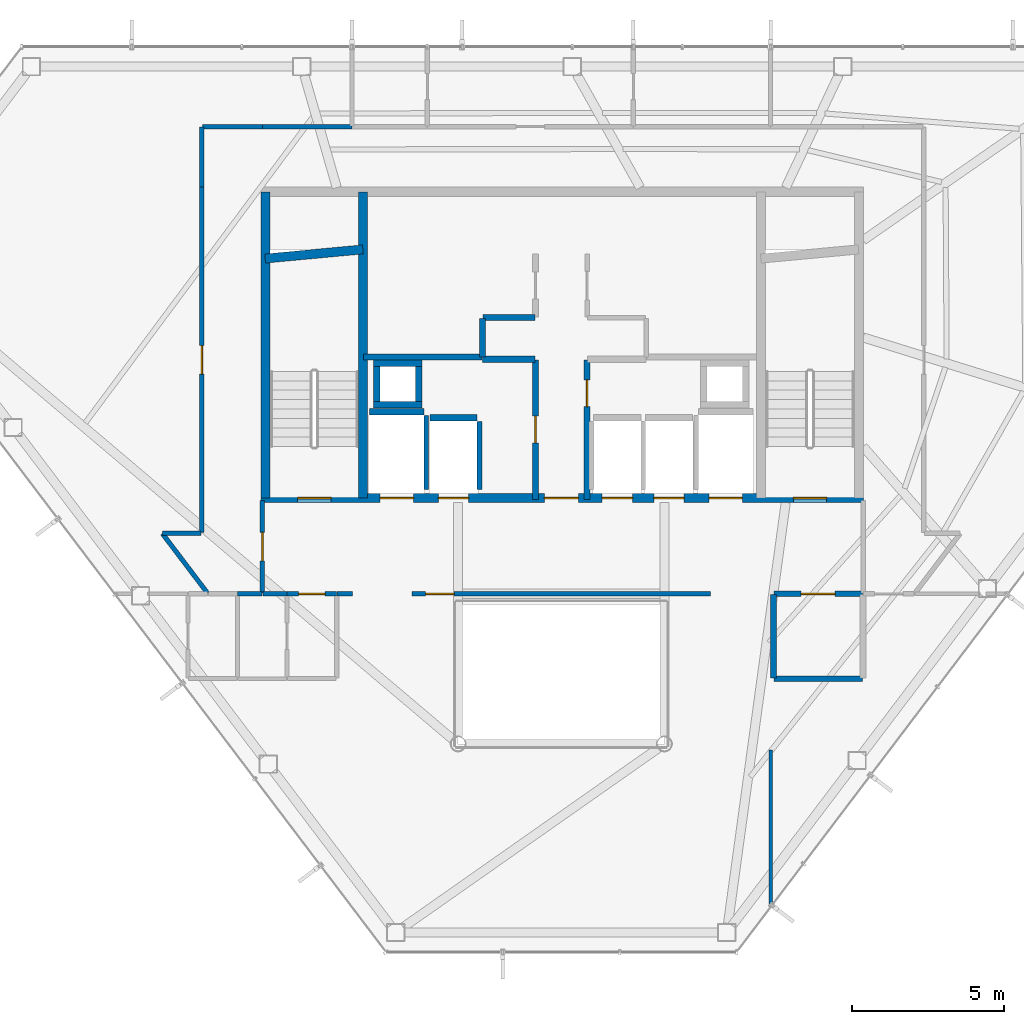
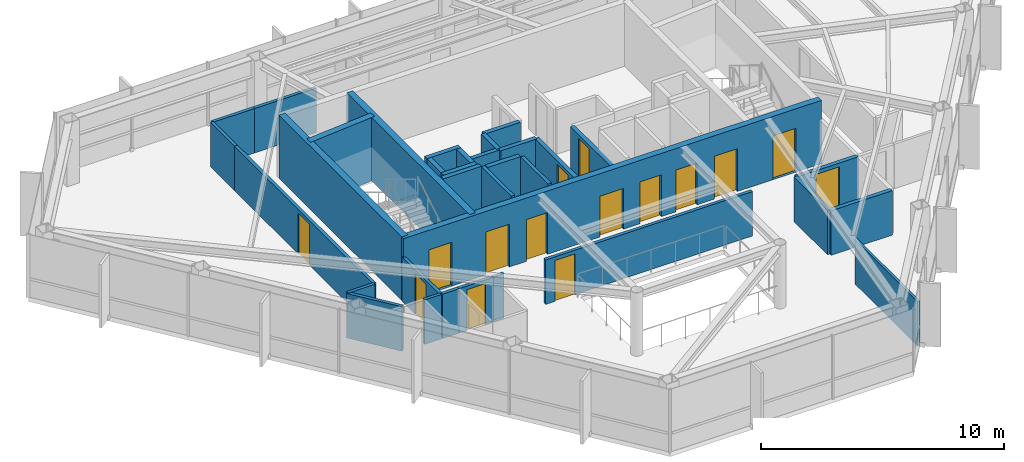
# One storey, part 24 of 27: 34 walls, 15 doors, 15 openings.
"""IFC4 building model written with IfcOpenShell, lengths in metres."""

from ifc_helpers import new_model, si_unit, direction, frame, frame_2d, origin, place, context, subcontext, project, spatial, rectangle, extrude, material, layer, layer_set, type_object, element, fill, save


model = new_model("IFC4")

# Units and contexts
model_context = context("Model", 3, precision=1e-05, world=origin(), true_north=direction((0.0, 1.0)))
body_context = subcontext(model_context, "Body", "Model", "MODEL_VIEW")
ifc_project = project(units=[si_unit("LENGTHUNIT", "METRE"), si_unit("AREAUNIT", "SQUARE_METRE"), si_unit("VOLUMEUNIT", "CUBIC_METRE"), si_unit("PLANEANGLEUNIT", "RADIAN"), si_unit("MASSUNIT", "GRAM", prefix="KILO")], contexts=[model_context])

# Site, building, storey
site_placement = place(None, origin())
site = spatial("IfcSite", under=ifc_project, at=site_placement, CompositionType="ELEMENT")
building_placement = place(site_placement, origin())
building = spatial("IfcBuilding", under=site, at=building_placement, Name="Zarrinselat Tower", CompositionType="ELEMENT")
storey_placement = place(building_placement, frame((0.0, 0.0, 232.56005859375)))
storey = spatial("IfcBuildingStorey", under=building, at=storey_placement, Name="L58", CompositionType="ELEMENT", Elevation=232.56005859375)

# Wall, opening, door
ifc_material_1 = material(Name="Concrete C40/50", Category="concrete")
ifc_layer_1 = layer(ifc_material_1, 0.18994140625)
ifc_layer_set_1 = layer_set([ifc_layer_1], Name="Concrete C40/50")
wall_type_1 = type_object("IfcWallType", Name="WAL-PART-EI120", PredefinedType="PARTITIONING", material=ifc_layer_set_1)
wall_1_placement = place(storey_placement, frame((45.405029296875, 30.14990234375, 0.0), z_axis=(0.0, 0.0, 1.0), x_axis=(1.0, 0.0, 0.0)))
wall_1 = element("IfcWall", 1, at=wall_1_placement, inside=storey, type_object=wall_type_1, Name="L58 Partition Wall 13", PredefinedType="PARTITIONING", context=body_context, shape_type="SweptSolid", body=[
    extrude(rectangle(XDim=2.925048828125, YDim=0.18994140625, at=frame_2d((1.46240234375, 0.0))), origin(), (0.0, 0.0, 1.0), 2.23486328125),
])
opening_1_placement = place(wall_1_placement, frame((0.902587890625, 0.0, 0.0)))
opening_1 = element("IfcOpeningElement", 2, at=opening_1_placement, cuts=wall_1, Name="Opening ID-02", PredefinedType="OPENING", context=body_context, shape_type="SweptSolid", body=[
    extrude(rectangle(XDim=1.1201171875, YDim=2.050048828125, at=frame_2d((0.56005859375, 1.02490234375))), frame((0.0, 0.10498046875, 0.0), z_axis=(0.0, -1.0, 0.0), x_axis=(1.0, 0.0, 0.0)), (0.0, 0.0, 1.0), 0.2099609375),
])
ifc_material_2 = material(Name="Steel S355J2", Category="steel")
door_type_1 = type_object("IfcDoorType", Name="DR-INT-FD60-W", OperationType="NOTDEFINED", PredefinedType="DOOR", material=ifc_material_2)
door_1_placement = place(opening_1_placement, origin())
door_1 = element("IfcDoor", 3, at=door_1_placement, inside=storey, type_object=door_type_1, Name="L58 Interior Door P13", OperationType="SINGLE_SWING_RIGHT", OverallHeight=2.050048828125, OverallWidth=1.1201171875, PredefinedType="DOOR", context=body_context, shape_type="SweptSolid", body=[
    extrude(rectangle(XDim=1.1201171875, YDim=2.050048828125, at=frame_2d((0.56005859375, 1.02490234375))), frame((0.0, 0.02490234375, 0.0), z_axis=(0.0, -1.0, 0.0), x_axis=(1.0, 0.0, 0.0)), (0.0, 0.0, 1.0), 0.050048828125),
])
fill(opening_1, door_1)

# Walls
wall_2_placement = place(storey_placement, frame((45.419921875, 27.35009765625, 0.0), z_axis=(0.0, 0.0, 1.0), x_axis=(1.0, 0.0, 0.0)))
element("IfcWall", 4, at=wall_2_placement, inside=storey, type_object=wall_type_1, Name="L58 Partition Wall 20", PredefinedType="PARTITIONING", context=body_context, shape_type="SweptSolid", body=[
    extrude(rectangle(XDim=2.91015625, YDim=0.18994140625, at=frame_2d((1.455078125, 0.0))), origin(), (0.0, 0.0, 1.0), 2.23486328125),
])
wall_3_placement = place(storey_placement, frame((45.39990234375, 27.3701171875, 0.0), z_axis=(0.0, 0.0, 1.0), x_axis=(0.0, 1.0, 0.0)))
element("IfcWall", 5, at=wall_3_placement, inside=storey, type_object=wall_type_1, Name="L58 Partition Wall 21", PredefinedType="PARTITIONING", context=body_context, shape_type="SweptSolid", body=[
    extrude(rectangle(XDim=2.759765625, YDim=0.18994140625, at=frame_2d((1.3798828125, 0.0))), origin(), (0.0, 0.0, 1.0), 2.23486328125),
])

# Wall, opening, door
ifc_material_3 = material(Name="Fire-Rated Gypsum Board Partition", Category="gypsum")
ifc_layer_2 = layer(ifc_material_3, 0.14990234375)
ifc_layer_set_2 = layer_set([ifc_layer_2], Name="Fire-Rated Gypsum Board Partition")
wall_type_2 = type_object("IfcWallType", Name="WAL-PART-EI60", PredefinedType="PARTITIONING", material=ifc_layer_set_2)
wall_4_placement = place(storey_placement, frame((28.550048828125, 30.169921875, 0.0), z_axis=(0.0, 0.0, 1.0), x_axis=(0.0, 1.0, 0.0)))
wall_4 = element("IfcWall", 6, at=wall_4_placement, inside=storey, type_object=wall_type_2, Name="L58 Partition Wall 14", PredefinedType="PARTITIONING", context=body_context, shape_type="SweptSolid", body=[
    extrude(rectangle(XDim=3.06005859375, YDim=0.14990234375, at=frame_2d((1.530029296875, 0.0))), origin(), (0.0, 0.0, 1.0), 2.23486328125),
])
opening_2_placement = place(wall_4_placement, frame((1.06005859375, 0.0, 0.0)))
opening_2 = element("IfcOpeningElement", 7, at=opening_2_placement, cuts=wall_4, Name="Opening ID-04", PredefinedType="OPENING", context=body_context, shape_type="SweptSolid", body=[
    extrude(rectangle(XDim=0.93994140625, YDim=2.050048828125, at=frame_2d((0.469970703125, 1.02490234375))), frame((0.0, 0.0849609375, 0.0), z_axis=(0.0, -1.0, 0.0), x_axis=(1.0, 0.0, 0.0)), (0.0, 0.0, 1.0), 0.169921875),
])
ifc_material_4 = material(Name="Fire-Rated Gypsum Board Partition")
door_type_2 = type_object("IfcDoorType", Name="DR-INT-FD30-ENT", OperationType="NOTDEFINED", PredefinedType="DOOR", material=ifc_material_4)
door_2_placement = place(opening_2_placement, origin())
door_2 = element("IfcDoor", 8, at=door_2_placement, inside=storey, type_object=door_type_2, Name="L58 Interior Door P14", OperationType="SINGLE_SWING_LEFT", OverallHeight=2.050048828125, OverallWidth=0.93994140625, PredefinedType="DOOR", context=body_context, shape_type="SweptSolid", body=[
    extrude(rectangle(XDim=0.93994140625, YDim=2.050048828125, at=frame_2d((0.469970703125, 1.02490234375))), frame((0.0, 0.02490234375, 0.0), z_axis=(0.0, -1.0, 0.0), x_axis=(1.0, 0.0, 0.0)), (0.0, 0.0, 1.0), 0.050048828125),
])
fill(opening_2, door_2)

wall_5_placement = place(storey_placement, frame((29.364990234375, 30.14990234375, 0.0), z_axis=(0.0, 0.0, 1.0), x_axis=(1.0, 0.0, 0.0)))
wall_5 = element("IfcWall", 9, at=wall_5_placement, inside=storey, type_object=wall_type_2, Name="L58 Partition Wall 16", PredefinedType="PARTITIONING", context=body_context, shape_type="SweptSolid", body=[
    extrude(rectangle(XDim=1.630126953125, YDim=0.14990234375, at=frame_2d((0.81494140625, 0.0))), origin(), (0.0, 0.0, 1.0), 2.23486328125),
])
opening_3_placement = place(wall_5_placement, frame((0.375, 0.0, 0.0)))
opening_3 = element("IfcOpeningElement", 10, at=opening_3_placement, cuts=wall_5, Name="Opening ID-03", PredefinedType="OPENING", context=body_context, shape_type="SweptSolid", body=[
    extrude(rectangle(XDim=0.8798828125, YDim=2.050048828125, at=frame_2d((0.43994140625, 1.02490234375))), frame((0.0, 0.0849609375, 0.0), z_axis=(0.0, -1.0, 0.0), x_axis=(1.0, 0.0, 0.0)), (0.0, 0.0, 1.0), 0.169921875),
])
ifc_material_5 = material(Name="Steel S355J2", Category="steel")
door_type_3 = type_object("IfcDoorType", Name="DR-INT-FD60-S", OperationType="NOTDEFINED", PredefinedType="DOOR", material=ifc_material_5)
door_3_placement = place(opening_3_placement, origin())
door_3 = element("IfcDoor", 11, at=door_3_placement, inside=storey, type_object=door_type_3, Name="L58 Interior Door P16", OperationType="SINGLE_SWING_RIGHT", OverallHeight=2.050048828125, OverallWidth=0.8798828125, PredefinedType="DOOR", context=body_context, shape_type="SweptSolid", body=[
    extrude(rectangle(XDim=0.8798828125, YDim=2.050048828125, at=frame_2d((0.43994140625, 1.02490234375))), frame((0.0, 0.02490234375, 0.0), z_axis=(0.0, -1.0, 0.0), x_axis=(1.0, 0.0, 0.0)), (0.0, 0.0, 1.0), 0.050048828125),
])
fill(opening_3, door_3)

# Wall
wall_6_placement = place(storey_placement, frame((28.570068359375, 30.14990234375, 0.0), z_axis=(0.0, 0.0, 1.0), x_axis=(1.0, 0.0, 0.0)))
element("IfcWall", 12, at=wall_6_placement, inside=storey, type_object=wall_type_2, Name="L58 Partition Wall 17", PredefinedType="PARTITIONING", context=body_context, shape_type="SweptSolid", body=[
    extrude(rectangle(XDim=0.784912109375, YDim=0.14990234375, at=frame_2d((0.392578125, 0.0))), origin(), (0.0, 0.0, 1.0), 2.23486328125),
])

# Wall, opening, door
wall_7_placement = place(storey_placement, frame((33.485107421875, 30.14990234375, 0.0), z_axis=(0.0, 0.0, 1.0), x_axis=(1.0, 0.0, 0.0)))
wall_7 = element("IfcWall", 13, at=wall_7_placement, inside=storey, type_object=wall_type_2, Name="L58 Partition Wall 18", PredefinedType="PARTITIONING", context=body_context, shape_type="SweptSolid", body=[
    extrude(rectangle(XDim=9.829833984375, YDim=0.14990234375, at=frame_2d((4.9150390625, 0.0))), origin(), (0.0, 0.0, 1.0), 2.23486328125),
])
opening_4_placement = place(wall_7_placement, frame((0.445068359375, 0.0, 0.0)))
opening_4 = element("IfcOpeningElement", 14, at=opening_4_placement, cuts=wall_7, Name="Opening ID-04", PredefinedType="OPENING", context=body_context, shape_type="SweptSolid", body=[
    extrude(rectangle(XDim=0.93994140625, YDim=2.050048828125, at=frame_2d((0.469970703125, 1.02490234375))), frame((0.0, 0.0849609375, 0.0), z_axis=(0.0, -1.0, 0.0), x_axis=(1.0, 0.0, 0.0)), (0.0, 0.0, 1.0), 0.169921875),
])
door_4_placement = place(opening_4_placement, origin())
door_4 = element("IfcDoor", 15, at=door_4_placement, inside=storey, type_object=door_type_2, Name="L58 Interior Door P18", OperationType="SINGLE_SWING_LEFT", OverallHeight=2.050048828125, OverallWidth=0.93994140625, PredefinedType="DOOR", context=body_context, shape_type="SweptSolid", body=[
    extrude(rectangle(XDim=0.93994140625, YDim=2.050048828125, at=frame_2d((0.469970703125, 1.02490234375))), frame((0.0, 0.02490234375, 0.0), z_axis=(0.0, -1.0, 0.0), x_axis=(1.0, 0.0, 0.0)), (0.0, 0.0, 1.0), 0.050048828125),
])
fill(opening_4, door_4)

# Walls
wall_8_placement = place(storey_placement, frame((31.0048828125, 30.14990234375, 0.0), z_axis=(0.0, 0.0, 1.0), x_axis=(1.0, 0.0, 0.0)))
element("IfcWall", 16, at=wall_8_placement, inside=storey, type_object=wall_type_2, Name="L58 Partition Wall 19", PredefinedType="PARTITIONING", context=body_context, shape_type="SweptSolid", body=[
    extrude(rectangle(XDim=0.510009765625, YDim=0.14990234375, at=frame_2d((0.2548828125, 0.0))), origin(), (0.0, 0.0, 1.0), 2.23486328125),
])
wall_9_placement = place(storey_placement, frame((27.735107421875, 30.14990234375, 0.0), z_axis=(0.0, 0.0, 1.0), x_axis=(1.0, 0.0, 0.0)))
element("IfcWall", 17, at=wall_9_placement, inside=storey, type_object=wall_type_2, Name="L58 Partition Wall 24", PredefinedType="PARTITIONING", context=body_context, shape_type="SweptSolid", body=[
    extrude(rectangle(XDim=0.794921875, YDim=0.14990234375, at=frame_2d((0.3974609375, 0.0))), origin(), (0.0, 0.0, 1.0), 2.23486328125),
])
wall_10_placement = place(storey_placement, frame((25.251708984375, 32.134033203125, 0.0), z_axis=(0.0, 0.0, 1.0), x_axis=(0.603869110647, -0.797083494502, 0.0)))
element("IfcWall", 18, at=wall_10_placement, inside=storey, type_object=wall_type_2, Name="L58 Partition Wall 26", PredefinedType="PARTITIONING", context=body_context, shape_type="SweptSolid", body=[
    extrude(rectangle(XDim=2.468994140625, YDim=0.14990234375, at=frame_2d((1.234375, 0.0))), origin(), (0.0, 0.0, 1.0), 2.23486328125),
])
wall_11_placement = place(storey_placement, frame((25.259521484375, 32.14990234375, 0.0), z_axis=(0.0, 0.0, 1.0), x_axis=(1.0, 0.0, 0.0)))
element("IfcWall", 19, at=wall_11_placement, inside=storey, type_object=wall_type_2, Name="L58 Partition Wall 27", PredefinedType="PARTITIONING", context=body_context, shape_type="SweptSolid", body=[
    extrude(rectangle(XDim=1.2705078125, YDim=0.14990234375, at=frame_2d((0.63525390625, 0.0))), origin(), (0.0, 0.0, 1.0), 2.23486328125),
])

# Wall, opening, door
wall_12_placement = place(storey_placement, frame((26.550048828125, 32.169921875, 0.0), z_axis=(0.0, 0.0, 1.0), x_axis=(0.0, 1.0, 0.0)))
wall_12 = element("IfcWall", 20, at=wall_12_placement, inside=storey, type_object=wall_type_2, Name="L58 Partition Wall 28", PredefinedType="PARTITIONING", context=body_context, shape_type="SweptSolid", body=[
    extrude(rectangle(XDim=11.380126953125, YDim=0.14990234375, at=frame_2d((5.68994140625, 0.0))), origin(), (0.0, 0.0, 1.0), 2.23486328125),
])
opening_5_placement = place(wall_12_placement, frame((5.219970703125, 0.0, 0.0)))
opening_5 = element("IfcOpeningElement", 21, at=opening_5_placement, cuts=wall_12, Name="Opening ID-04", PredefinedType="OPENING", context=body_context, shape_type="SweptSolid", body=[
    extrude(rectangle(XDim=0.93994140625, YDim=2.050048828125, at=frame_2d((0.469970703125, 1.02490234375))), frame((0.0, 0.0849609375, 0.0), z_axis=(0.0, -1.0, 0.0), x_axis=(1.0, 0.0, 0.0)), (0.0, 0.0, 1.0), 0.169921875),
])
door_5_placement = place(opening_5_placement, origin())
door_5 = element("IfcDoor", 22, at=door_5_placement, inside=storey, type_object=door_type_2, Name="L58 Interior Door P28", OperationType="SINGLE_SWING_LEFT", OverallHeight=2.050048828125, OverallWidth=0.93994140625, PredefinedType="DOOR", context=body_context, shape_type="SweptSolid", body=[
    extrude(rectangle(XDim=0.93994140625, YDim=2.050048828125, at=frame_2d((0.469970703125, 1.02490234375))), frame((0.0, 0.02490234375, 0.0), z_axis=(0.0, -1.0, 0.0), x_axis=(1.0, 0.0, 0.0)), (0.0, 0.0, 1.0), 0.050048828125),
])
fill(opening_5, door_5)

# Walls
for number, where, z_axis, x_axis, name in (
    (23, (26.550048828125, 43.550048828125, 0.0), (0.0, 0.0, 1.0), (0.0, 1.0, 0.0), "L58 Partition Wall 29"),
    (24, (26.570068359375, 45.550048828125, 0.0), (0.0, 0.0, 1.0), (1.0, 0.0, 0.0), "L58 Partition Wall 30"),
):
    element("IfcWall", number, at=place(storey_placement, frame(where, z_axis=z_axis, x_axis=x_axis)), inside=storey, type_object=wall_type_2, Name=name, PredefinedType="PARTITIONING", context=body_context, shape_type="SweptSolid", body=[
        extrude(rectangle(XDim=1.97998046875, YDim=0.14990234375, at=frame_2d((0.989990234375, 0.0))), origin(), (0.0, 0.0, 1.0), 2.23486328125),
    ])
wall_13_placement = place(storey_placement, frame((28.550048828125, 45.550048828125, 0.0), z_axis=(0.0, 0.0, 1.0), x_axis=(1.0, 0.0, 0.0)))
element("IfcWall", 25, at=wall_13_placement, inside=storey, type_object=wall_type_2, Name="L58 Partition Wall 31", PredefinedType="PARTITIONING", context=body_context, shape_type="SweptSolid", body=[
    extrude(rectangle(XDim=2.945068359375, YDim=0.14990234375, at=frame_2d((1.47265625, 0.0))), origin(), (0.0, 0.0, 1.0), 2.23486328125),
])

# Wall, opening, door
ifc_material_6 = material(Name="Concrete C40/50", Category="concrete")
ifc_layer_3 = layer(ifc_material_6, 0.199951171875)
ifc_layer_set_3 = layer_set([ifc_layer_3], Name="Concrete C40/50")
wall_type_3 = type_object("IfcWallType", Name="WAL-PART-PLANT", PredefinedType="PARTITIONING", material=ifc_layer_set_3)
wall_14_placement = place(storey_placement, frame((37.550048828125, 33.264892578125, 0.0), z_axis=(0.0, 0.0, 1.0), x_axis=(0.0, 1.0, 0.0)))
wall_14 = element("IfcWall", 26, at=wall_14_placement, inside=storey, type_object=wall_type_3, Name="L58 Partition Wall 1", PredefinedType="PARTITIONING", context=body_context, shape_type="SweptSolid", body=[
    extrude(rectangle(XDim=4.59521484375, YDim=0.199951171875, at=frame_2d((2.297607421875, 0.0))), origin(), (0.0, 0.0, 1.0), 2.23486328125),
])
opening_6_placement = place(wall_14_placement, frame((1.857421875, 0.0, 0.0)))
opening_6 = element("IfcOpeningElement", 27, at=opening_6_placement, cuts=wall_14, Name="Opening ID-03", PredefinedType="OPENING", context=body_context, shape_type="SweptSolid", body=[
    extrude(rectangle(XDim=0.8798828125, YDim=2.050048828125, at=frame_2d((0.43994140625, 1.02490234375))), frame((0.0, 0.10986328125, 0.0), z_axis=(0.0, -1.0, 0.0), x_axis=(1.0, 0.0, 0.0)), (0.0, 0.0, 1.0), 0.219970703125),
])
door_6_placement = place(opening_6_placement, origin())
door_6 = element("IfcDoor", 28, at=door_6_placement, inside=storey, type_object=door_type_3, Name="L58 Interior Door P1", OperationType="SINGLE_SWING_RIGHT", OverallHeight=2.050048828125, OverallWidth=0.8798828125, PredefinedType="DOOR", context=body_context, shape_type="SweptSolid", body=[
    extrude(rectangle(XDim=0.8798828125, YDim=2.050048828125, at=frame_2d((0.43994140625, 1.02490234375))), frame((0.0, 0.02490234375, 0.0), z_axis=(0.0, -1.0, 0.0), x_axis=(1.0, 0.0, 0.0)), (0.0, 0.0, 1.0), 0.050048828125),
])
fill(opening_6, door_6)

# Walls
wall_15_placement = place(storey_placement, frame((35.800048828125, 37.8798828125, 0.0), z_axis=(0.0, 0.0, 1.0), x_axis=(1.0, 0.0, 0.0)))
element("IfcWall", 29, at=wall_15_placement, inside=storey, type_object=wall_type_3, Name="L58 Partition Wall 2", PredefinedType="PARTITIONING", context=body_context, shape_type="SweptSolid", body=[
    extrude(rectangle(XDim=1.72998046875, YDim=0.199951171875, at=frame_2d((0.864990234375, 0.0))), origin(), (0.0, 0.0, 1.0), 2.23486328125),
])
wall_16_placement = place(storey_placement, frame((35.800048828125, 37.955078125, 0.0), z_axis=(0.0, 0.0, 1.0), x_axis=(0.0, 1.0, 0.0)))
element("IfcWall", 30, at=wall_16_placement, inside=storey, type_object=wall_type_3, Name="L58 Partition Wall 3", PredefinedType="PARTITIONING", context=body_context, shape_type="SweptSolid", body=[
    extrude(rectangle(XDim=1.27490234375, YDim=0.199951171875, at=frame_2d((0.637451171875, 0.0))), origin(), (0.0, 0.0, 1.0), 2.23486328125),
])
wall_17_placement = place(storey_placement, frame((35.820068359375, 39.25, 0.0), z_axis=(0.0, 0.0, 1.0), x_axis=(1.0, 0.0, 0.0)))
element("IfcWall", 31, at=wall_17_placement, inside=storey, type_object=wall_type_3, Name="L58 Partition Wall 4", PredefinedType="PARTITIONING", context=body_context, shape_type="SweptSolid", body=[
    extrude(rectangle(XDim=1.7099609375, YDim=0.199951171875, at=frame_2d((0.85498046875, 0.0))), origin(), (0.0, 0.0, 1.0), 2.23486328125),
])

# Wall, opening, door
wall_18_placement = place(storey_placement, frame((39.25, 33.264892578125, 0.0), z_axis=(0.0, 0.0, 1.0), x_axis=(0.0, 1.0, 0.0)))
wall_18 = element("IfcWall", 32, at=wall_18_placement, inside=storey, type_object=wall_type_3, Name="L58 Partition Wall 7", PredefinedType="PARTITIONING", context=body_context, shape_type="SweptSolid", body=[
    extrude(rectangle(XDim=4.59521484375, YDim=0.199951171875, at=frame_2d((2.297607421875, 0.0))), origin(), (0.0, 0.0, 1.0), 2.23486328125),
])
opening_7_placement = place(wall_18_placement, frame((3.0576171875, 0.0, 0.0)))
opening_7 = element("IfcOpeningElement", 33, at=opening_7_placement, cuts=wall_18, Name="Opening ID-03", PredefinedType="OPENING", context=body_context, shape_type="SweptSolid", body=[
    extrude(rectangle(XDim=0.8798828125, YDim=2.050048828125, at=frame_2d((0.43994140625, 1.02490234375))), frame((0.0, 0.10986328125, 0.0), z_axis=(0.0, -1.0, 0.0), x_axis=(1.0, 0.0, 0.0)), (0.0, 0.0, 1.0), 0.219970703125),
])
door_7_placement = place(opening_7_placement, origin())
door_7 = element("IfcDoor", 34, at=door_7_placement, inside=storey, type_object=door_type_3, Name="L58 Interior Door P7", OperationType="SINGLE_SWING_RIGHT", OverallHeight=2.050048828125, OverallWidth=0.8798828125, PredefinedType="DOOR", context=body_context, shape_type="SweptSolid", body=[
    extrude(rectangle(XDim=0.8798828125, YDim=2.050048828125, at=frame_2d((0.43994140625, 1.02490234375))), frame((0.0, 0.02490234375, 0.0), z_axis=(0.0, -1.0, 0.0), x_axis=(1.0, 0.0, 0.0)), (0.0, 0.0, 1.0), 0.050048828125),
])
fill(opening_7, door_7)

# Walls
wall_19_placement = place(storey_placement, frame((31.885009765625, 37.949951171875, 0.0), z_axis=(0.0, 0.0, 1.0), x_axis=(1.0, 0.0, 0.0)))
element("IfcWall", 35, at=wall_19_placement, inside=storey, type_object=wall_type_3, Name="L58 Partition Wall 11", PredefinedType="PARTITIONING", context=body_context, shape_type="SweptSolid", body=[
    extrude(rectangle(XDim=3.89501953125, YDim=0.199951171875, at=frame_2d((1.947509765625, 0.0))), origin(), (0.0, 0.0, 1.0), 2.23486328125),
])
ifc_material_7 = material(Name="Fire-Rated Gypsum Board Partition", Category="gypsum")
ifc_layer_4 = layer(ifc_material_7, 0.1201171875)
ifc_layer_set_4 = layer_set([ifc_layer_4], Name="Fire-Rated Gypsum Board Partition")
wall_type_4 = type_object("IfcWallType", Name="WAL-PART-STD", PredefinedType="PARTITIONING", material=ifc_layer_set_4)
wall_20_placement = place(storey_placement, frame((45.300048828125, 19.827392578125, 0.0), z_axis=(0.0, 0.0, 1.0), x_axis=(0.0, 1.0, 0.0)))
element("IfcWall", 36, at=wall_20_placement, inside=storey, type_object=wall_type_4, Name="L58 Partition Wall 49", PredefinedType="PARTITIONING", context=body_context, shape_type="SweptSolid", body=[
    extrude(rectangle(XDim=5.172607421875, YDim=0.1201171875, at=frame_2d((2.58642578125, 0.0))), origin(), (0.0, 0.0, 1.0), 2.23486328125),
])
ifc_material_8 = material(Name="Concrete C40/50", Category="concrete")
ifc_layer_5 = layer(ifc_material_8, 0.2099609375)
ifc_layer_set_5 = layer_set([ifc_layer_5], Name="Concrete C40/50")
wall_type_5 = type_object("IfcWallType", Name="WAL-SHAFT-210", PredefinedType="SOLIDWALL", material=ifc_layer_set_5)
wall_21_placement = place(storey_placement, frame((32.080078125, 36.155029296875, 0.0), z_axis=(0.0, 0.0, 1.0), x_axis=(1.0, 0.0, 0.0)))
element("IfcWall", 37, at=wall_21_placement, inside=storey, type_object=wall_type_5, Name="L58 Lift FFL1 North Shaft Wall", PredefinedType="SOLIDWALL", context=body_context, shape_type="SweptSolid", body=[
    extrude(rectangle(XDim=1.7998046875, YDim=0.2099609375, at=frame_2d((0.89990234375, 0.0))), origin(), (0.0, 0.0, 1.0), 3.179931640625),
])
wall_22_placement = place(storey_placement, frame((33.949951171875, 33.580078125, 0.0), z_axis=(0.0, 0.0, 1.0), x_axis=(0.0, 1.0, 0.0)))
element("IfcWall", 38, at=wall_22_placement, inside=storey, type_object=wall_type_5, Name="L58 Lift FFL1 E Shaft Wall", PredefinedType="SOLIDWALL", context=body_context, shape_type="SweptSolid", body=[
    extrude(rectangle(XDim=2.449951171875, YDim=0.159912109375, at=frame_2d((1.22509765625, 0.0))), origin(), (0.0, 0.0, 1.0), 3.179931640625),
])
wall_23_placement = place(storey_placement, frame((34.070068359375, 35.955078125, 0.0), z_axis=(0.0, 0.0, 1.0), x_axis=(1.0, 0.0, 0.0)))
element("IfcWall", 39, at=wall_23_placement, inside=storey, type_object=wall_type_5, Name="L58 Lift PL10 North Shaft Wall", PredefinedType="SOLIDWALL", context=body_context, shape_type="SweptSolid", body=[
    extrude(rectangle(XDim=1.559814453125, YDim=0.2099609375, at=frame_2d((0.77978515625, 0.0))), origin(), (0.0, 0.0, 1.0), 3.179931640625),
])
wall_24_placement = place(storey_placement, frame((35.699951171875, 33.580078125, 0.0), z_axis=(0.0, 0.0, 1.0), x_axis=(0.0, 1.0, 0.0)))
element("IfcWall", 40, at=wall_24_placement, inside=storey, type_object=wall_type_5, Name="L58 Lift PL10 E Shaft Wall", PredefinedType="SOLIDWALL", context=body_context, shape_type="SweptSolid", body=[
    extrude(rectangle(XDim=2.25, YDim=0.159912109375, at=frame_2d((1.125, 0.0))), origin(), (0.0, 0.0, 1.0), 3.179931640625),
])
for number, where, z_axis, x_axis, name in (
    (41, (32.2099609375, 36.375, 0.0), (0.0, 0.0, 1.0), (1.0, 0.0, 0.0), "L58 Core Riser RSR-W S Shaft Wall"),
    (42, (32.2099609375, 37.7451171875, 0.0), (0.0, 0.0, 1.0), (1.0, 0.0, 0.0), "L58 Core Riser RSR-W N Shaft Wall"),
):
    element("IfcWall", number, at=place(storey_placement, frame(where, z_axis=z_axis, x_axis=x_axis)), inside=storey, type_object=wall_type_5, Name=name, PredefinedType="SOLIDWALL", context=body_context, shape_type="SweptSolid", body=[
        extrude(rectangle(XDim=1.60009765625, YDim=0.2099609375, at=frame_2d((0.800048828125, 0.0))), origin(), (0.0, 0.0, 1.0), 3.179931640625),
    ])
for number, where, z_axis, x_axis, name in (
    (43, (32.31494140625, 36.485107421875, 0.0), (0.0, 0.0, 1.0), (0.0, 1.0, 0.0), "L58 Core Riser RSR-W W Shaft Wall"),
    (44, (33.705078125, 36.485107421875, 0.0), (0.0, 0.0, 1.0), (0.0, 1.0, 0.0), "L58 Core Riser RSR-W E Shaft Wall"),
):
    element("IfcWall", number, at=place(storey_placement, frame(where, z_axis=z_axis, x_axis=x_axis)), inside=storey, type_object=wall_type_5, Name=name, PredefinedType="SOLIDWALL", context=body_context, shape_type="SweptSolid", body=[
        extrude(rectangle(XDim=1.14990234375, YDim=0.2099609375, at=frame_2d((0.574951171875, 0.0))), origin(), (0.0, 0.0, 1.0), 3.179931640625),
    ])

# Wall, openings, doors
ifc_material_9 = material(Name="Concrete C40/50", Category="concrete")
ifc_layer_6 = layer(ifc_material_9, 0.300048828125)
ifc_layer_set_6 = layer_set([ifc_layer_6], Name="Concrete C40/50")
wall_type_6 = type_object("IfcWallType", Name="WAL-SHEAR-300", PredefinedType="SHEAR", material=ifc_layer_set_6)
wall_25_placement = place(storey_placement, frame((28.5, 33.300048828125, 0.0), z_axis=(0.0, 0.0, 1.0), x_axis=(1.0, 0.0, 0.0)))
wall_25 = element("IfcWall", 45, at=wall_25_placement, inside=storey, type_object=wall_type_6, Name="L58 South Core Shear Wall", PredefinedType="SHEAR", context=body_context, shape_type="SweptSolid", body=[
    extrude(rectangle(XDim=19.860107421875, YDim=0.300048828125, at=frame_2d((9.93017578125, 0.0))), origin(), (0.0, 0.0, 1.0), 3.179931640625),
])
opening_8_placement = place(wall_25_placement, frame((3.929931640625, 0.0, 0.0)))
opening_8 = element("IfcOpeningElement", 46, at=opening_8_placement, cuts=wall_25, Name="Opening LD-FFL1", PredefinedType="OPENING", context=body_context, shape_type="SweptSolid", body=[
    extrude(rectangle(XDim=1.10009765625, YDim=2.14990234375, at=frame_2d((0.550048828125, 1.074951171875))), frame((0.0, 0.159912109375, 0.0), z_axis=(0.0, -1.0, 0.0), x_axis=(1.0, 0.0, 0.0)), (0.0, 0.0, 1.0), 0.320068359375),
])
opening_9_placement = place(wall_25_placement, frame((14.77001953125, 0.0, 0.0)))
opening_9 = element("IfcOpeningElement", 47, at=opening_9_placement, cuts=wall_25, Name="Opening LD-FFL2", PredefinedType="OPENING", context=body_context, shape_type="SweptSolid", body=[
    extrude(rectangle(XDim=1.10009765625, YDim=2.14990234375, at=frame_2d((0.550048828125, 1.074951171875))), frame((0.0, 0.159912109375, 0.0), z_axis=(0.0, -1.0, 0.0), x_axis=(1.0, 0.0, 0.0)), (0.0, 0.0, 1.0), 0.320068359375),
])
opening_10_placement = place(wall_25_placement, frame((11.25, 0.0, 0.0)))
opening_10 = element("IfcOpeningElement", 48, at=opening_10_placement, cuts=wall_25, Name="Opening LD-PL8", PredefinedType="OPENING", context=body_context, shape_type="SweptSolid", body=[
    extrude(rectangle(XDim=1.0, YDim=2.10009765625, at=frame_2d((0.5, 1.050048828125))), frame((0.0, 0.159912109375, 0.0), z_axis=(0.0, -1.0, 0.0), x_axis=(1.0, 0.0, 0.0)), (0.0, 0.0, 1.0), 0.320068359375),
])
opening_11_placement = place(wall_25_placement, frame((12.949951171875, 0.0, 0.0)))
opening_11 = element("IfcOpeningElement", 49, at=opening_11_placement, cuts=wall_25, Name="Opening LD-PL9", PredefinedType="OPENING", context=body_context, shape_type="SweptSolid", body=[
    extrude(rectangle(XDim=1.0, YDim=2.10009765625, at=frame_2d((0.5, 1.050048828125))), frame((0.0, 0.159912109375, 0.0), z_axis=(0.0, -1.0, 0.0), x_axis=(1.0, 0.0, 0.0)), (0.0, 0.0, 1.0), 0.320068359375),
])
opening_12_placement = place(wall_25_placement, frame((5.85009765625, 0.0, 0.0)))
opening_12 = element("IfcOpeningElement", 50, at=opening_12_placement, cuts=wall_25, Name="Opening LD-PL10", PredefinedType="OPENING", context=body_context, shape_type="SweptSolid", body=[
    extrude(rectangle(XDim=1.0, YDim=2.10009765625, at=frame_2d((0.5, 1.050048828125))), frame((0.0, 0.159912109375, 0.0), z_axis=(0.0, -1.0, 0.0), x_axis=(1.0, 0.0, 0.0)), (0.0, 0.0, 1.0), 0.320068359375),
])
opening_13_placement = place(wall_25_placement, frame((1.2099609375, 0.0, 0.0)))
opening_13 = element("IfcOpeningElement", 51, at=opening_13_placement, cuts=wall_25, Name="Opening SD-01", PredefinedType="OPENING", context=body_context, shape_type="SweptSolid", body=[
    extrude(rectangle(XDim=1.10009765625, YDim=2.199951171875, at=frame_2d((0.550048828125, 1.10009765625))), frame((0.0, 0.159912109375, 0.0), z_axis=(0.0, -1.0, 0.0), x_axis=(1.0, 0.0, 0.0)), (0.0, 0.0, 1.0), 0.320068359375),
])
opening_14_placement = place(wall_25_placement, frame((9.340087890625, 0.0, 0.0)))
opening_14 = element("IfcOpeningElement", 52, at=opening_14_placement, cuts=wall_25, Name="Opening ID-02", PredefinedType="OPENING", context=body_context, shape_type="SweptSolid", body=[
    extrude(rectangle(XDim=1.1201171875, YDim=2.050048828125, at=frame_2d((0.56005859375, 1.02490234375))), frame((0.0, 0.159912109375, 0.0), z_axis=(0.0, -1.0, 0.0), x_axis=(1.0, 0.0, 0.0)), (0.0, 0.0, 1.0), 0.320068359375),
])
opening_15_placement = place(wall_25_placement, frame((17.550048828125, 0.0, 0.0)))
opening_15 = element("IfcOpeningElement", 53, at=opening_15_placement, cuts=wall_25, Name="Opening SD-01", PredefinedType="OPENING", context=body_context, shape_type="SweptSolid", body=[
    extrude(rectangle(XDim=1.10009765625, YDim=2.199951171875, at=frame_2d((0.550048828125, 1.10009765625))), frame((0.0, 0.159912109375, 0.0), z_axis=(0.0, -1.0, 0.0), x_axis=(1.0, 0.0, 0.0)), (0.0, 0.0, 1.0), 0.320068359375),
])
door_8_placement = place(opening_14_placement, origin())
door_8 = element("IfcDoor", 54, at=door_8_placement, inside=storey, type_object=door_type_1, Name="L58 Core Service Vestibule Fire Door", OperationType="SINGLE_SWING_RIGHT", OverallHeight=2.050048828125, OverallWidth=1.1201171875, PredefinedType="DOOR", context=body_context, shape_type="SweptSolid", body=[
    extrude(rectangle(XDim=1.1201171875, YDim=2.050048828125, at=frame_2d((0.56005859375, 1.02490234375))), frame((0.0, 0.02490234375, 0.0), z_axis=(0.0, -1.0, 0.0), x_axis=(1.0, 0.0, 0.0)), (0.0, 0.0, 1.0), 0.050048828125),
])
fill(opening_14, door_8)
ifc_material_10 = material(Name="Steel S355J2", Category="steel")
door_type_4 = type_object("IfcDoorType", Name="DR-LIFT-FF-1100", OperationType="NOTDEFINED", PredefinedType="DOOR", material=ifc_material_10)
door_9_placement = place(opening_8_placement, origin())
door_9 = element("IfcDoor", 55, at=door_9_placement, inside=storey, type_object=door_type_4, Name="L58 Lift FFL1 Sliding Landing Door", OperationType="SLIDING_TO_LEFT", OverallHeight=2.14990234375, OverallWidth=1.10009765625, PredefinedType="DOOR", context=body_context, shape_type="SweptSolid", body=[
    extrude(rectangle(XDim=1.10009765625, YDim=2.14990234375, at=frame_2d((0.550048828125, 1.074951171875))), frame((0.0, 0.02490234375, 0.0), z_axis=(0.0, -1.0, 0.0), x_axis=(1.0, 0.0, 0.0)), (0.0, 0.0, 1.0), 0.050048828125),
])
fill(opening_8, door_9)
door_10_placement = place(opening_9_placement, origin())
door_10 = element("IfcDoor", 56, at=door_10_placement, inside=storey, type_object=door_type_4, Name="L58 Lift FFL2 Sliding Landing Door", OperationType="SLIDING_TO_RIGHT", OverallHeight=2.14990234375, OverallWidth=1.10009765625, PredefinedType="DOOR", context=body_context, shape_type="SweptSolid", body=[
    extrude(rectangle(XDim=1.10009765625, YDim=2.14990234375, at=frame_2d((0.550048828125, 1.074951171875))), frame((0.0, 0.02490234375, 0.0), z_axis=(0.0, -1.0, 0.0), x_axis=(1.0, 0.0, 0.0)), (0.0, 0.0, 1.0), 0.050048828125),
])
fill(opening_9, door_10)
ifc_material_11 = material(Name="Steel S355J2", Category="steel")
door_type_5 = type_object("IfcDoorType", Name="DR-LIFT-PS-1000", OperationType="NOTDEFINED", PredefinedType="DOOR", material=ifc_material_11)
door_11_placement = place(opening_10_placement, origin())
door_11 = element("IfcDoor", 57, at=door_11_placement, inside=storey, type_object=door_type_5, Name="L58 Lift PL8 Sliding Landing Door", OperationType="SLIDING_TO_RIGHT", OverallHeight=2.10009765625, OverallWidth=1.0, PredefinedType="DOOR", context=body_context, shape_type="SweptSolid", body=[
    extrude(rectangle(XDim=1.0, YDim=2.10009765625, at=frame_2d((0.5, 1.050048828125))), frame((0.0, 0.02490234375, 0.0), z_axis=(0.0, -1.0, 0.0), x_axis=(1.0, 0.0, 0.0)), (0.0, 0.0, 1.0), 0.050048828125),
])
fill(opening_10, door_11)
door_12_placement = place(opening_11_placement, origin())
door_12 = element("IfcDoor", 58, at=door_12_placement, inside=storey, type_object=door_type_5, Name="L58 Lift PL9 Sliding Landing Door", OperationType="SLIDING_TO_LEFT", OverallHeight=2.10009765625, OverallWidth=1.0, PredefinedType="DOOR", context=body_context, shape_type="SweptSolid", body=[
    extrude(rectangle(XDim=1.0, YDim=2.10009765625, at=frame_2d((0.5, 1.050048828125))), frame((0.0, 0.02490234375, 0.0), z_axis=(0.0, -1.0, 0.0), x_axis=(1.0, 0.0, 0.0)), (0.0, 0.0, 1.0), 0.050048828125),
])
fill(opening_11, door_12)
door_13_placement = place(opening_12_placement, origin())
door_13 = element("IfcDoor", 59, at=door_13_placement, inside=storey, type_object=door_type_5, Name="L58 Lift PL10 Sliding Landing Door", OperationType="SLIDING_TO_RIGHT", OverallHeight=2.10009765625, OverallWidth=1.0, PredefinedType="DOOR", context=body_context, shape_type="SweptSolid", body=[
    extrude(rectangle(XDim=1.0, YDim=2.10009765625, at=frame_2d((0.5, 1.050048828125))), frame((0.0, 0.02490234375, 0.0), z_axis=(0.0, -1.0, 0.0), x_axis=(1.0, 0.0, 0.0)), (0.0, 0.0, 1.0), 0.050048828125),
])
fill(opening_12, door_13)
ifc_material_12 = material(Name="Steel S355J2", Category="steel")
door_type_6 = type_object("IfcDoorType", Name="DR-STAIR-1100", OperationType="NOTDEFINED", PredefinedType="DOOR", material=ifc_material_12)
door_14_placement = place(opening_13_placement, origin())
door_14 = element("IfcDoor", 60, at=door_14_placement, inside=storey, type_object=door_type_6, Name="L58 Exit Stair 1 Fire Door", OperationType="SINGLE_SWING_LEFT", OverallHeight=2.199951171875, OverallWidth=1.10009765625, PredefinedType="DOOR", context=body_context, shape_type="SweptSolid", body=[
    extrude(rectangle(XDim=1.10009765625, YDim=2.199951171875, at=frame_2d((0.550048828125, 1.10009765625))), frame((0.0, 0.02490234375, 0.0), z_axis=(0.0, -1.0, 0.0), x_axis=(1.0, 0.0, 0.0)), (0.0, 0.0, 1.0), 0.050048828125),
])
fill(opening_13, door_14)
door_15_placement = place(opening_15_placement, origin())
door_15 = element("IfcDoor", 61, at=door_15_placement, inside=storey, type_object=door_type_6, Name="L58 Exit Stair 2 Fire Door", OperationType="SINGLE_SWING_RIGHT", OverallHeight=2.199951171875, OverallWidth=1.10009765625, PredefinedType="DOOR", context=body_context, shape_type="SweptSolid", body=[
    extrude(rectangle(XDim=1.10009765625, YDim=2.199951171875, at=frame_2d((0.550048828125, 1.10009765625))), frame((0.0, 0.02490234375, 0.0), z_axis=(0.0, -1.0, 0.0), x_axis=(1.0, 0.0, 0.0)), (0.0, 0.0, 1.0), 0.050048828125),
])
fill(opening_15, door_15)

# Walls
for number, where, z_axis, x_axis, name in (
    (62, (28.64990234375, 33.300048828125, 0.0), (0.0, 0.0, 1.0), (0.0, 1.0, 0.0), "L58 Core Shear Wall W"),
    (63, (31.8701171875, 33.300048828125, 0.0), (0.0, 0.0, 1.0), (0.0, 1.0, 0.0), "L58 Core Shear Wall ST1E"),
):
    element("IfcWall", number, at=place(storey_placement, frame(where, z_axis=z_axis, x_axis=x_axis)), inside=storey, type_object=wall_type_6, Name=name, PredefinedType="SHEAR", context=body_context, shape_type="SweptSolid", body=[
        extrude(rectangle(XDim=10.099853515625, YDim=0.300048828125, at=frame_2d((5.0498046875, 0.0))), origin(), (0.0, 0.0, 1.0), 3.179931640625),
    ])
wall_26_placement = place(storey_placement, frame((28.639892578125, 41.199951171875, 0.0), z_axis=(0.0, 0.0, 1.0), x_axis=(0.995687118776, 0.092774789157, 0.0)))
element("IfcWall", 64, at=wall_26_placement, inside=storey, type_object=wall_type_6, Name="L58 Stair 1 North Shaft Wall", PredefinedType="SHEAR", context=body_context, shape_type="SweptSolid", body=[
    extrude(rectangle(XDim=3.234130859375, YDim=0.300048828125, at=frame_2d((1.6171875, 0.0))), origin(), (0.0, 0.0, 1.0), 3.179931640625),
])

save(model, "model.ifc")
